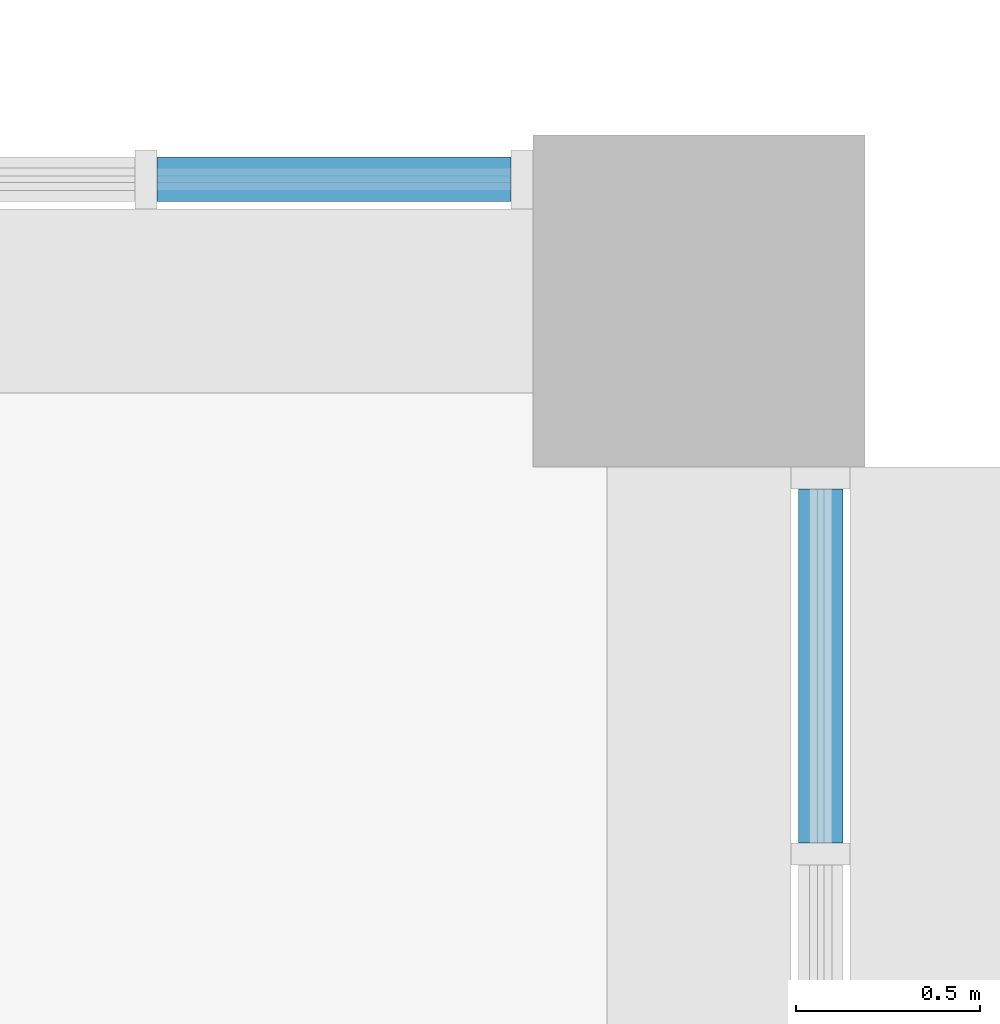
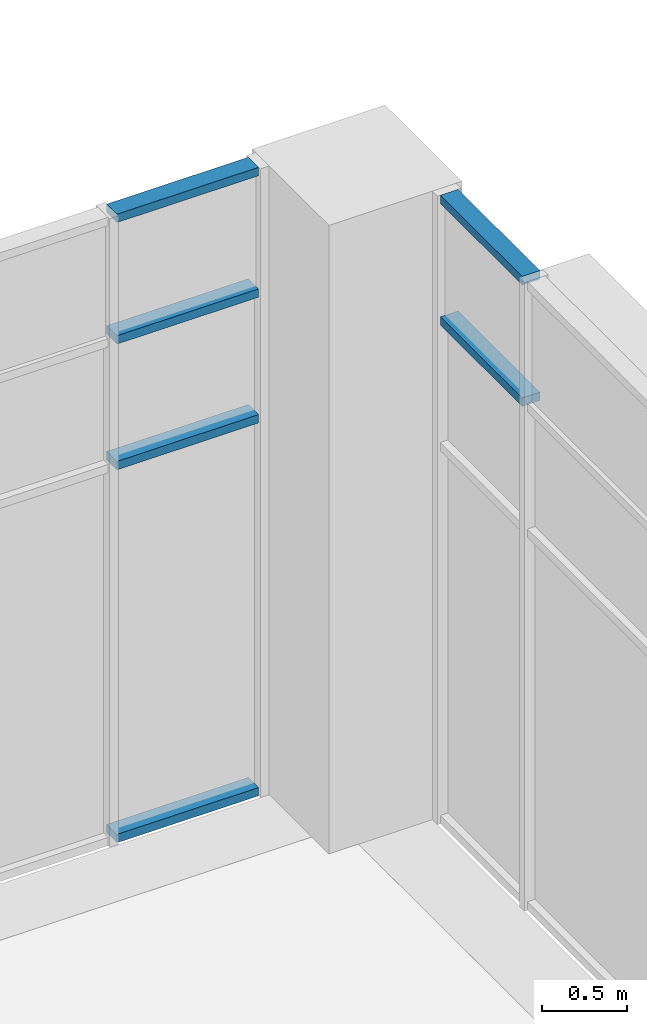
# One storey, part 16 of 45: 6 members, 2 elements without a shape of their own.
"""IFC4 building model written with IfcOpenShell, lengths in metres."""

import ifcopenshell
import ifcopenshell.guid

model = None  # the IFC model being written
_history = None  # IfcOwnerHistory: only IFC2X3 demands one
_inside = {}  # id of a spatial element -> (the spatial element, [elements in it])
_under = {}  # id of a project, library or spatial element -> (it, [spatial elements below it])
_declared = {}  # id of a project -> (the project, [libraries it declares])
_typed = {}  # id of a type object -> (the type object, [elements of that type])
_made_of = {}  # id of a material, layer set ... -> (it, [elements and type objects made of it])


def new_model(schema):
    """Start an empty IFC model of exactly this schema.

    Asked for "IFC4X3", IfcOpenShell would pick the latest addendum, in which some entities
    have other attributes; the version numbers below select the first issue.
    IFC2X3 requires an IfcOwnerHistory on every rooted entity: one is made here for all.
    """
    global model, _history
    if schema == "IFC4X3":
        model = ifcopenshell.file(schema_version=(4, 3, 0, 0))
    else:
        model = ifcopenshell.file(schema=schema)
    _inside.clear()
    _under.clear()
    _declared.clear()
    _typed.clear()
    _made_of.clear()
    _history = None
    if model.schema == "IFC2X3":
        org = make("IfcOrganization", Name="unknown")
        user = make(
            "IfcPersonAndOrganization",
            ThePerson=make("IfcPerson", FamilyName="unknown"),
            TheOrganization=org,
        )
        app = make(
            "IfcApplication",
            ApplicationDeveloper=org,
            Version="unknown",
            ApplicationFullName="unknown",
            ApplicationIdentifier="unknown",
        )
        _history = make(
            "IfcOwnerHistory",
            OwningUser=user,
            OwningApplication=app,
            ChangeAction="ADDED",
            CreationDate=0,
        )
    return model


def make(cls, **values):
    """One entity of the class cls with the attributes given. An attribute that is None is left unset."""
    return model.create_entity(
        cls, **{name: value for name, value in values.items() if value is not None}
    )


def rooted(cls, **values):
    """An entity with a GlobalId (a new one), such as an element, a storey or a relation."""
    return make(cls, GlobalId=ifcopenshell.guid.new(), OwnerHistory=_history, **values)


def si_unit(unit_type, name, prefix=None):
    """IfcSIUnit, for example si_unit("LENGTHUNIT", "METRE", prefix="MILLI")."""
    return make("IfcSIUnit", UnitType=unit_type, Prefix=prefix, Name=name)


def assignment(units):
    """IfcUnitAssignment: the units of a project."""
    return None if units is None else make("IfcUnitAssignment", Units=units)


def point(xyz):
    """IfcCartesianPoint."""
    return None if xyz is None else make("IfcCartesianPoint", Coordinates=xyz)


def direction(xyz):
    """IfcDirection."""
    return None if xyz is None else make("IfcDirection", DirectionRatios=xyz)


def frame(location, z_axis=None, x_axis=None):
    """IfcAxis2Placement3D, a coordinate frame: its origin and axes. An axis left out is left unset."""
    return make(
        "IfcAxis2Placement3D",
        Location=point(location),
        Axis=direction(z_axis),
        RefDirection=direction(x_axis),
    )


def frame_2d(location, x_axis=None):
    """IfcAxis2Placement2D, a coordinate frame in the plane: its origin and x axis."""
    return make(
        "IfcAxis2Placement2D", Location=point(location), RefDirection=direction(x_axis)
    )


def origin():
    """The frame at (0, 0, 0) with its axes left unset."""
    return frame((0.0, 0.0, 0.0))


def origin_2d():
    """The frame at (0, 0) in the plane with its x axis left unset."""
    return frame_2d((0.0, 0.0))


def place(relative_to, where):
    """IfcLocalPlacement: puts the frame where relative to a parent placement (None: the world)."""
    return make(
        "IfcLocalPlacement", PlacementRelTo=relative_to, RelativePlacement=where
    )


def context(
    kind, dimensions, precision=None, world=None, true_north=None, identifier=None
):
    """IfcGeometricRepresentationContext, for example the 3D "Model" context."""
    return make(
        "IfcGeometricRepresentationContext",
        ContextIdentifier=identifier,
        ContextType=kind,
        CoordinateSpaceDimension=dimensions,
        Precision=precision,
        WorldCoordinateSystem=world,
        TrueNorth=true_north,
    )


def subcontext(parent, identifier, kind, view, scale=None):
    """IfcGeometricRepresentationSubContext, for example "Body" below "Model"."""
    return make(
        "IfcGeometricRepresentationSubContext",
        ContextIdentifier=identifier,
        ContextType=kind,
        ParentContext=parent,
        TargetScale=scale,
        TargetView=view,
    )


def project(units=None, contexts=None):
    """IfcProject with its units and contexts."""
    return rooted(
        "IfcProject",
        Name="project",
        RepresentationContexts=contexts,
        UnitsInContext=assignment(units),
    )


def spatial(cls, under=None, at=None, **own):
    """A site, building, storey or space (cls), placed at a placement, below another one or the project."""
    s = rooted(cls, ObjectPlacement=at, **own)
    if under is not None:
        _under.setdefault(under.id(), (under, []))[1].append(s)
    return s


def profile(cls, at=None, kind="AREA", **sizes):
    """A parametric profile (cls). Its sizes go by their IFC names, for example OverallWidth=200.0."""
    return make(cls, ProfileType=kind, Position=at, **sizes)


def rectangle(**sizes):
    """IfcRectangleProfileDef."""
    return profile("IfcRectangleProfileDef", **sizes)


def extrude(swept, where, along, depth):
    """IfcExtrudedAreaSolid: the profile swept, set in the frame where, extruded along a direction by depth."""
    return make(
        "IfcExtrudedAreaSolid",
        SweptArea=swept,
        Position=where,
        ExtrudedDirection=direction(along),
        Depth=depth,
    )


def shape(context_of_items, identifier, shape_type, items):
    """IfcShapeRepresentation: the items that make up one representation, for example the "Body"."""
    return make(
        "IfcShapeRepresentation",
        ContextOfItems=context_of_items,
        RepresentationIdentifier=identifier,
        RepresentationType=shape_type,
        Items=items,
    )


def material(Name=None, Category=None):
    """IfcMaterial."""
    return make("IfcMaterial", Name=Name, Category=Category)


def layer(
    of_material, thickness, ventilated=None, Name=None, Category=None, Priority=None
):
    """IfcMaterialLayer: one layer of a wall or slab, of a material (None: an air gap)."""
    return make(
        "IfcMaterialLayer",
        Material=of_material,
        LayerThickness=thickness,
        IsVentilated=ventilated,
        Name=Name,
        Category=Category,
        Priority=Priority,
    )


def layer_set(layers, Name=None):
    """IfcMaterialLayerSet."""
    return make("IfcMaterialLayerSet", MaterialLayers=layers, LayerSetName=Name)


def material_profile(
    of_material, cross_section, Name=None, Category=None, Priority=None
):
    """IfcMaterialProfile: a cross section and its material."""
    return make(
        "IfcMaterialProfile",
        Name=Name,
        Material=of_material,
        Profile=cross_section,
        Priority=Priority,
        Category=Category,
    )


def profile_set(profiles, Name=None, composite=None):
    """IfcMaterialProfileSet."""
    return make(
        "IfcMaterialProfileSet",
        Name=Name,
        MaterialProfiles=profiles,
        CompositeProfile=composite,
    )


def made_of(thing, what):
    """Note that an element or type object is made of a material, layer set ...; save() writes the relation."""
    if what is not None:
        _made_of.setdefault(what.id(), (what, []))[1].append(thing)
    return thing


def type_object(cls, material=None, **own):
    """A type object (cls), such as IfcWallType, which elements share."""
    return made_of(rooted(cls, **own), material)


def element(
    cls,
    number,
    at=None,
    inside=None,
    cuts=None,
    type_object=None,
    material=None,
    context=None,
    identifier="Body",
    shape_type=None,
    held_by="IfcProductDefinitionShape",
    body=None,
    shapes=None,
    **own,
):
    """One element of the class cls, such as IfcWall. Its Tag is "e" and its number.

    at: its placement. inside: the storey or other place that contains it. cuts: it is an
    opening in that element (IfcRelVoidsElement). A single representation is given by context,
    identifier, shape_type and body (its items); several are given by shapes. held_by: the class
    of the entity that holds the representations. save() writes the other relations.
    """
    e = rooted(cls, Tag="e%d" % number, ObjectPlacement=at, **own)
    if body is not None:
        shapes = [shape(context, identifier, shape_type, body)]
    if shapes is not None:
        e.Representation = make(held_by, Representations=shapes)
    if inside is not None:
        _inside.setdefault(inside.id(), (inside, []))[1].append(e)
    if cuts is not None:
        rooted(
            "IfcRelVoidsElement", RelatingBuildingElement=cuts, RelatedOpeningElement=e
        )
    if type_object is not None:
        _typed.setdefault(type_object.id(), (type_object, []))[1].append(e)
    return made_of(e, material)


def aggregate(whole, parts):
    """IfcRelAggregates: a whole, such as a stair, and the parts it consists of."""
    return rooted("IfcRelAggregates", RelatingObject=whole, RelatedObjects=parts)


def save(model, path):
    """Write the relations noted so far, then the file.

    IfcRelAggregates (storeys below a building ...), IfcRelContainedInSpatialStructure (elements
    in a storey), IfcRelDefinesByType, IfcRelAssociatesMaterial and IfcRelDeclares: one each for
    every whole, place, type object, material and project.
    """
    for whole, parts in _under.values():
        aggregate(whole, parts)
    for where, things in _inside.values():
        rooted(
            "IfcRelContainedInSpatialStructure",
            RelatedElements=things,
            RelatingStructure=where,
        )
    for kind, things in _typed.values():
        rooted("IfcRelDefinesByType", RelatedObjects=things, RelatingType=kind)
    for what, things in _made_of.values():
        rooted("IfcRelAssociatesMaterial", RelatedObjects=things, RelatingMaterial=what)
    for by, libraries in _declared.values():
        rooted("IfcRelDeclares", RelatingContext=by, RelatedDefinitions=libraries)
    model.write(path)


model = new_model("IFC4")

# Units and contexts
model_context = context("Model", 3, precision=1e-05, world=origin(), true_north=direction((0.0, 1.0)))
body_context = subcontext(model_context, "Body", "Model", "MODEL_VIEW")
ifc_project = project(units=[si_unit("LENGTHUNIT", "METRE"), si_unit("AREAUNIT", "SQUARE_METRE"), si_unit("VOLUMEUNIT", "CUBIC_METRE"), si_unit("PLANEANGLEUNIT", "RADIAN"), si_unit("MASSUNIT", "GRAM", prefix="KILO")], contexts=[model_context])

# Site, building, storey
site_placement = place(None, origin())
site = spatial("IfcSite", under=ifc_project, at=site_placement, CompositionType="ELEMENT")
building_placement = place(site_placement, origin())
building = spatial("IfcBuilding", under=site, at=building_placement, Name="Guidao Yard Department Store", CompositionType="ELEMENT")
storey_placement = place(building_placement, frame((0.0, 0.0, 19.5)))
storey = spatial("IfcBuildingStorey", under=building, at=storey_placement, Name="L04", CompositionType="ELEMENT", Elevation=19.5)

# Curtain wall, members
ifc_material_1 = material(Name="Aluminium and glass", Category="aluminium")
ifc_layer = layer(ifc_material_1, 0.159912109375)
ifc_layer_set = layer_set([ifc_layer], Name="Unitised curtain wall CW4 1500 module")
curtain_wall_type = type_object("IfcCurtainWallType", Name="Unitised curtain wall CW4 1500 module", PredefinedType="NOTDEFINED", material=ifc_layer_set)
curtain_wall_1_placement = place(storey_placement, origin())
curtain_wall_1 = element("IfcCurtainWall", 1, at=curtain_wall_1_placement, inside=storey, type_object=curtain_wall_type, Name="Unitised curtain wall", PredefinedType="NOTDEFINED")
ifc_material_2 = material(Name="Aluminium 6063-T5", Category="aluminium")
ifc_material_profile = material_profile(ifc_material_2, rectangle(XDim=0.1201171875, YDim=0.06005859375, at=origin_2d()), Name="Transom T1 60 x 120 aluminium pressure plate")
ifc_profile_set = profile_set([ifc_material_profile], Name="Aluminium 6063-T5")
member_type = type_object("IfcMemberType", Name="Transom T1 60 x 120 aluminium pressure plate", PredefinedType="USERDEFINED", material=ifc_profile_set)
member_1_placement = place(storey_placement, frame((169.530029296875, 27.330078125, 0.030029296875), z_axis=(1.0, 0.0, 0.0), x_axis=(0.0, 1.0, 0.0)))
member_1 = element("IfcMember", 2, at=member_1_placement, type_object=member_type, Name="CW-OW-L04-08 transom 6.1", ObjectType="TRANSOM", PredefinedType="USERDEFINED", context=body_context, shape_type="SweptSolid", body=[
    extrude(rectangle(XDim=0.1201171875, YDim=0.06005859375, at=origin_2d()), origin(), (0.0, 0.0, 1.0), 0.9599609375),
])
member_2_placement = place(storey_placement, frame((169.530029296875, 27.330078125, 2.699951171875), z_axis=(1.0, 0.0, 0.0), x_axis=(0.0, 1.0, 0.0)))
member_2 = element("IfcMember", 3, at=member_2_placement, type_object=member_type, Name="CW-OW-L04-08 transom 6.2", ObjectType="TRANSOM", PredefinedType="USERDEFINED", context=body_context, shape_type="SweptSolid", body=[
    extrude(rectangle(XDim=0.1201171875, YDim=0.06005859375, at=origin_2d()), origin(), (0.0, 0.0, 1.0), 0.9599609375),
])
member_3_placement = place(storey_placement, frame((169.530029296875, 27.330078125, 3.60009765625), z_axis=(1.0, 0.0, 0.0), x_axis=(0.0, 1.0, 0.0)))
member_3 = element("IfcMember", 4, at=member_3_placement, type_object=member_type, Name="CW-OW-L04-08 transom 6.3", ObjectType="TRANSOM", PredefinedType="USERDEFINED", context=body_context, shape_type="SweptSolid", body=[
    extrude(rectangle(XDim=0.1201171875, YDim=0.06005859375, at=origin_2d()), origin(), (0.0, 0.0, 1.0), 0.9599609375),
])
member_4_placement = place(storey_placement, frame((169.530029296875, 27.330078125, 4.469970703125), z_axis=(1.0, 0.0, 0.0), x_axis=(0.0, 1.0, 0.0)))
member_4 = element("IfcMember", 5, at=member_4_placement, type_object=member_type, Name="CW-OW-L04-08 transom 6.4", ObjectType="TRANSOM", PredefinedType="USERDEFINED", context=body_context, shape_type="SweptSolid", body=[
    extrude(rectangle(XDim=0.1201171875, YDim=0.06005859375, at=origin_2d()), origin(), (0.0, 0.0, 1.0), 0.9599609375),
])
aggregate(curtain_wall_1, [member_1, member_2, member_3, member_4])

curtain_wall_2_placement = place(storey_placement, origin())
curtain_wall_2 = element("IfcCurtainWall", 6, at=curtain_wall_2_placement, inside=storey, type_object=curtain_wall_type, Name="Unitised curtain wall", PredefinedType="NOTDEFINED")
member_5_placement = place(storey_placement, frame((171.330078125, 26.489990234375, 3.60009765625), z_axis=(0.0, -1.0, 0.0), x_axis=(1.0, 0.0, 0.0)))
member_5 = element("IfcMember", 7, at=member_5_placement, type_object=member_type, Name="CW-OW-L04-11 transom 6.3", ObjectType="TRANSOM", PredefinedType="USERDEFINED", context=body_context, shape_type="SweptSolid", body=[
    extrude(rectangle(XDim=0.1201171875, YDim=0.06005859375, at=origin_2d()), origin(), (0.0, 0.0, 1.0), 0.9599609375),
])
member_6_placement = place(storey_placement, frame((171.330078125, 26.489990234375, 4.469970703125), z_axis=(0.0, -1.0, 0.0), x_axis=(1.0, 0.0, 0.0)))
member_6 = element("IfcMember", 8, at=member_6_placement, type_object=member_type, Name="CW-OW-L04-11 transom 6.4", ObjectType="TRANSOM", PredefinedType="USERDEFINED", context=body_context, shape_type="SweptSolid", body=[
    extrude(rectangle(XDim=0.1201171875, YDim=0.06005859375, at=origin_2d()), origin(), (0.0, 0.0, 1.0), 0.9599609375),
])
aggregate(curtain_wall_2, [member_5, member_6])

save(model, "model.ifc")
